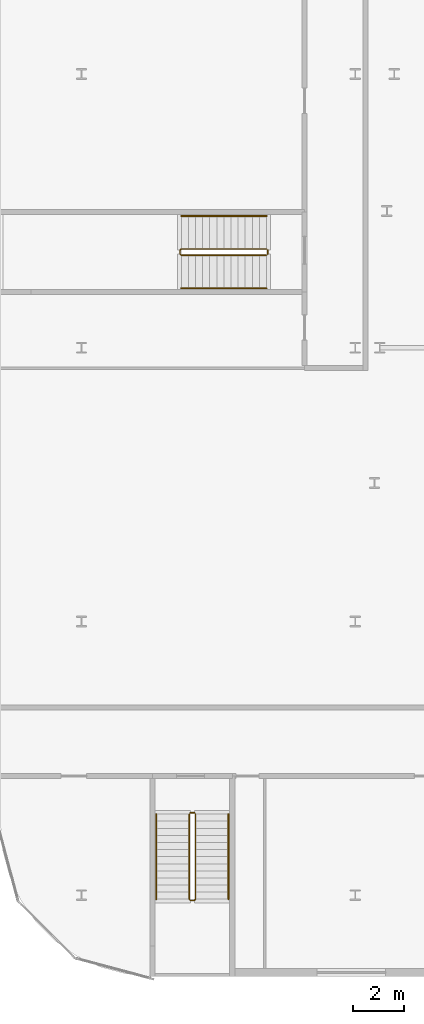
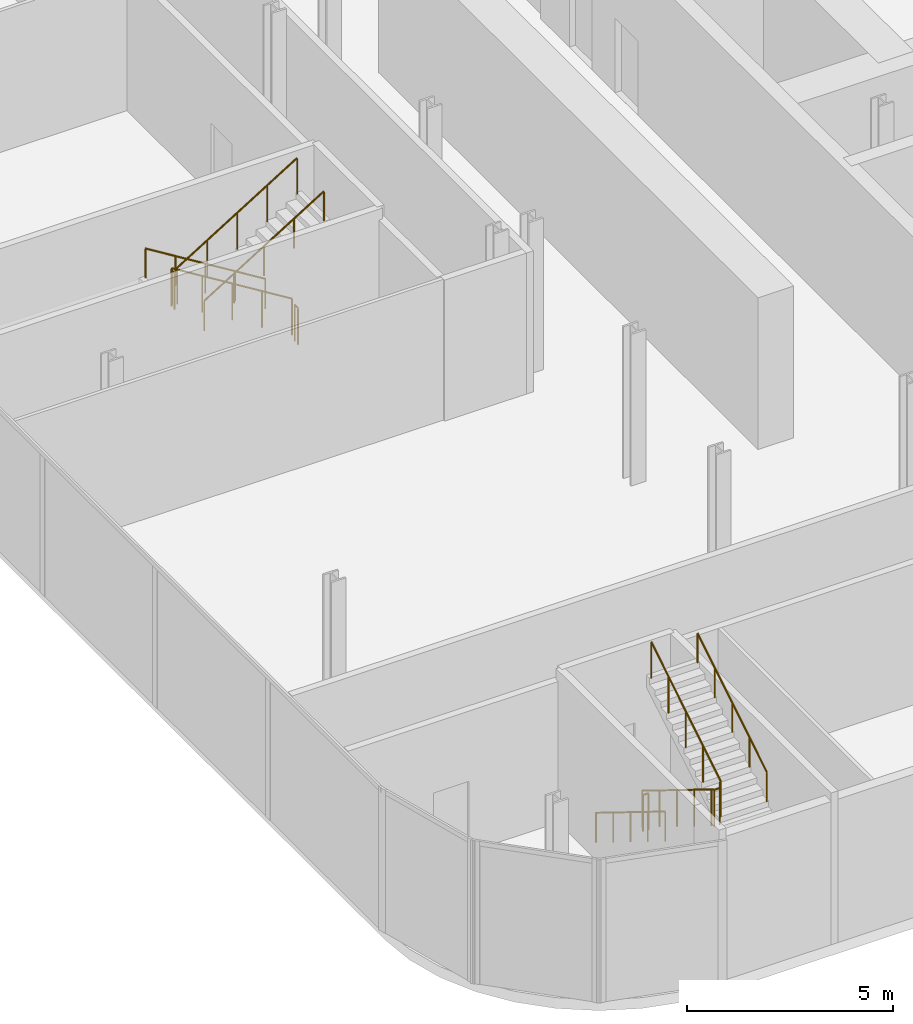
# One storey, part 39 of 47: 8 railings.
"""IFC4 building model written with IfcOpenShell, lengths in metres."""

from ifc_helpers import new_model, si_unit, direction, frame, origin, origin_2d, place, context, subcontext, project, spatial, circle, extrude, material, type_object, element, save


model = new_model("IFC4")

# Units and contexts
model_context = context("Model", 3, precision=1e-05, world=origin(), true_north=direction((0.0, 1.0)))
body_context = subcontext(model_context, "Body", "Model", "MODEL_VIEW")
ifc_project = project(units=[si_unit("LENGTHUNIT", "METRE"), si_unit("AREAUNIT", "SQUARE_METRE"), si_unit("VOLUMEUNIT", "CUBIC_METRE"), si_unit("PLANEANGLEUNIT", "RADIAN"), si_unit("MASSUNIT", "GRAM", prefix="KILO")], contexts=[model_context])

# Site, building, storey
site_placement = place(None, origin())
site = spatial("IfcSite", under=ifc_project, at=site_placement, CompositionType="ELEMENT")
building_placement = place(site_placement, origin())
building = spatial("IfcBuilding", under=site, at=building_placement, Name="Kheshtan School and Residences Tower", CompositionType="ELEMENT")
storey_placement = place(building_placement, frame((0.0, 0.0, 21.5)))
storey = spatial("IfcBuildingStorey", under=building, at=storey_placement, Name="L04", CompositionType="ELEMENT", Elevation=21.5)

# Railings
ifc_material_1 = material(Name="Stainless steel balustrade", Category="steel")
railing_type_1 = type_object("IfcRailingType", Name="Stair guard 1100", PredefinedType="GUARDRAIL", material=ifc_material_1)
railing_1_placement = place(storey_placement, frame((22.5, 38.699951171875, 0.173095703125)))
element("IfcRailing", 1, at=railing_1_placement, inside=storey, type_object=railing_type_1, Name="L04 PS-012-037 stair guard 1", PredefinedType="GUARDRAIL", context=body_context, shape_type="SweptSolid", body=[
    extrude(circle(Radius=0.02392578125, at=origin_2d()), frame((0.0, 0.0, 1.076171875), z_axis=(-0.850623216509, 0.0, 0.525775754039), x_axis=(0.0, -1.0, 0.0)), (0.0, 0.0, 1.0), 3.9501953125),
    extrude(circle(Radius=0.02392578125, at=origin_2d()), frame((-3.360107421875, 0.0, 3.15283203125), z_axis=(-0.705375805398, -0.708833529934, 0.0), x_axis=(0.708833529934, -0.705375805398, 0.0)), (0.0, 0.0, 1.0), 0.070556640625),
    extrude(circle(Radius=0.02392578125, at=origin_2d()), frame((-3.409912109375, -0.050048828125, 3.15283203125), z_axis=(0.0, -1.0, 0.0), x_axis=(1.0, 0.0, 0.0)), (0.0, 0.0, 1.0), 0.14990234375),
    extrude(circle(Radius=0.02392578125, at=origin_2d()), frame((-3.409912109375, -0.199951171875, 3.15283203125), z_axis=(0.266417085129, -0.267723051232, 0.925929967433), x_axis=(0.708833529934, 0.705375805398, 0.0)), (0.0, 0.0, 1.0), 0.18701171875),
    extrude(circle(Radius=0.02392578125, at=origin_2d()), frame((-3.360107421875, -0.25, 3.326171875), z_axis=(0.850623216509, 0.0, 0.525775754039), x_axis=(0.0, 1.0, 0.0)), (0.0, 0.0, 1.0), 3.9501953125),
    extrude(circle(Radius=0.02099609375, at=origin_2d()), origin(), (0.0, 0.0, 1.0), 1.052001953125),
    extrude(circle(Radius=0.02099609375, at=origin_2d()), frame((-0.840087890625, 0.0, 0.519287109375)), (0.0, 0.0, 1.0), 1.052001953125),
    extrude(circle(Radius=0.02099609375, at=origin_2d()), frame((-1.68017578125, 0.0, 1.03857421875)), (0.0, 0.0, 1.0), 1.052001953125),
    extrude(circle(Radius=0.02099609375, at=origin_2d()), frame((-2.52001953125, 0.0, 1.5576171875)), (0.0, 0.0, 1.0), 1.052001953125),
    extrude(circle(Radius=0.02099609375, at=origin_2d()), frame((-3.360107421875, 0.0, 2.076904296875)), (0.0, 0.0, 1.0), 1.052001953125),
    extrude(circle(Radius=0.02099609375, at=origin_2d()), frame((-3.409912109375, -0.050048828125, 2.076904296875)), (0.0, 0.0, 1.0), 1.052001953125),
    extrude(circle(Radius=0.02099609375, at=origin_2d()), frame((-3.409912109375, -0.199951171875, 2.076904296875)), (0.0, 0.0, 1.0), 1.052001953125),
    extrude(circle(Radius=0.02099609375, at=origin_2d()), frame((-3.360107421875, -0.25, 2.25)), (0.0, 0.0, 1.0), 1.052001953125),
    extrude(circle(Radius=0.02099609375, at=origin_2d()), frame((-2.52001953125, -0.25, 2.769287109375)), (0.0, 0.0, 1.0), 1.052001953125),
    extrude(circle(Radius=0.02099609375, at=origin_2d()), frame((-1.68017578125, -0.25, 3.28857421875)), (0.0, 0.0, 1.0), 1.052001953125),
    extrude(circle(Radius=0.02099609375, at=origin_2d()), frame((-0.840087890625, -0.25, 3.8076171875)), (0.0, 0.0, 1.0), 1.052001953125),
    extrude(circle(Radius=0.02099609375, at=origin_2d()), frame((0.0, -0.25, 4.326904296875)), (0.0, 0.0, 1.0), 1.052001953125),
])
railing_2_placement = place(storey_placement, frame((22.550048828125, 38.64990234375, 0.0)))
element("IfcRailing", 2, at=railing_2_placement, inside=storey, type_object=railing_type_1, Name="L04 PS-012-037 stair guard 2", PredefinedType="GUARDRAIL", context=body_context, shape_type="SweptSolid", body=[
    extrude(circle(Radius=0.02392578125, at=origin_2d()), frame((0.0, 0.0, 1.076171875), z_axis=(0.0, -1.0, 0.0), x_axis=(1.0, 0.0, 0.0)), (0.0, 0.0, 1.0), 0.14990234375),
    extrude(circle(Radius=0.02099609375, at=origin_2d()), origin(), (0.0, 0.0, 1.0), 1.052001953125),
    extrude(circle(Radius=0.02099609375, at=origin_2d()), frame((0.0, -0.14990234375, 0.0)), (0.0, 0.0, 1.0), 1.052001953125),
])
railing_3_placement = place(storey_placement, frame((19.449951171875, 16.39990234375, 0.173095703125)))
element("IfcRailing", 3, at=railing_3_placement, inside=storey, type_object=railing_type_1, Name="L04 PS-018-010 stair guard 1", PredefinedType="GUARDRAIL", context=body_context, shape_type="SweptSolid", body=[
    extrude(circle(Radius=0.02392578125, at=origin_2d()), frame((0.0, 0.0, 1.076171875), z_axis=(0.0, -0.850606129759, 0.525803396734), x_axis=(1.0, 0.0, 0.0)), (0.0, 0.0, 1.0), 3.949951171875),
    extrude(circle(Radius=0.02392578125, at=origin_2d()), frame((0.0, -3.35986328125, 3.15283203125), z_axis=(0.707106781187, -0.707106781187, 0.0), x_axis=(0.707106781187, 0.707106781187, 0.0)), (0.0, 0.0, 1.0), 0.07080078125),
    extrude(circle(Radius=0.02392578125, at=origin_2d()), frame((0.050048828125, -3.409912109375, 3.15283203125), z_axis=(1.0, 0.0, 0.0), x_axis=(0.0, 1.0, 0.0)), (0.0, 0.0, 1.0), 0.14990234375),
    extrude(circle(Radius=0.02392578125, at=origin_2d()), frame((0.199951171875, -3.409912109375, 3.15283203125), z_axis=(0.267629722418, 0.267629722418, 0.925607186314), x_axis=(-0.707106781187, 0.707106781187, 0.0)), (0.0, 0.0, 1.0), 0.18701171875),
    extrude(circle(Radius=0.02392578125, at=origin_2d()), frame((0.25, -3.35986328125, 3.326171875), z_axis=(0.0, 0.850606129759, 0.525803396734), x_axis=(-1.0, 0.0, 0.0)), (0.0, 0.0, 1.0), 3.949951171875),
    extrude(circle(Radius=0.02099609375, at=origin_2d()), origin(), (0.0, 0.0, 1.0), 1.052001953125),
    extrude(circle(Radius=0.02099609375, at=origin_2d()), frame((0.0, -0.83984375, 0.519287109375)), (0.0, 0.0, 1.0), 1.052001953125),
    extrude(circle(Radius=0.02099609375, at=origin_2d()), frame((0.0, -1.679931640625, 1.03857421875)), (0.0, 0.0, 1.0), 1.052001953125),
    extrude(circle(Radius=0.02099609375, at=origin_2d()), frame((0.0, -2.52001953125, 1.5576171875)), (0.0, 0.0, 1.0), 1.052001953125),
    extrude(circle(Radius=0.02099609375, at=origin_2d()), frame((0.0, -3.35986328125, 2.076904296875)), (0.0, 0.0, 1.0), 1.052001953125),
    extrude(circle(Radius=0.02099609375, at=origin_2d()), frame((0.050048828125, -3.409912109375, 2.076904296875)), (0.0, 0.0, 1.0), 1.052001953125),
    extrude(circle(Radius=0.02099609375, at=origin_2d()), frame((0.199951171875, -3.409912109375, 2.076904296875)), (0.0, 0.0, 1.0), 1.052001953125),
    extrude(circle(Radius=0.02099609375, at=origin_2d()), frame((0.25, -3.35986328125, 2.25)), (0.0, 0.0, 1.0), 1.052001953125),
    extrude(circle(Radius=0.02099609375, at=origin_2d()), frame((0.25, -2.52001953125, 2.769287109375)), (0.0, 0.0, 1.0), 1.052001953125),
    extrude(circle(Radius=0.02099609375, at=origin_2d()), frame((0.25, -1.679931640625, 3.28857421875)), (0.0, 0.0, 1.0), 1.052001953125),
    extrude(circle(Radius=0.02099609375, at=origin_2d()), frame((0.25, -0.83984375, 3.8076171875)), (0.0, 0.0, 1.0), 1.052001953125),
    extrude(circle(Radius=0.02099609375, at=origin_2d()), frame((0.25, 0.0, 4.326904296875)), (0.0, 0.0, 1.0), 1.052001953125),
])
railing_4_placement = place(storey_placement, frame((19.5, 16.449951171875, 0.0)))
element("IfcRailing", 4, at=railing_4_placement, inside=storey, type_object=railing_type_1, Name="L04 PS-018-010 stair guard 2", PredefinedType="GUARDRAIL", context=body_context, shape_type="SweptSolid", body=[
    extrude(circle(Radius=0.02392578125, at=origin_2d()), frame((0.0, 0.0, 1.076171875), z_axis=(1.0, 0.0, 0.0), x_axis=(0.0, 1.0, 0.0)), (0.0, 0.0, 1.0), 0.14990234375),
    extrude(circle(Radius=0.02099609375, at=origin_2d()), origin(), (0.0, 0.0, 1.0), 1.052001953125),
    extrude(circle(Radius=0.02099609375, at=origin_2d()), frame((0.14990234375, 0.0, 0.0)), (0.0, 0.0, 1.0), 1.052001953125),
])
ifc_material_2 = material(Name="Stainless steel handrail", Category="steel")
railing_type_2 = type_object("IfcRailingType", Name="Stair handrail 900", PredefinedType="HANDRAIL", material=ifc_material_2)
railing_5_placement = place(storey_placement, frame((22.5, 40.0, 0.173095703125)))
element("IfcRailing", 5, at=railing_5_placement, inside=storey, type_object=railing_type_2, Name="L04 PS-012-037 stair handrail 1", PredefinedType="HANDRAIL", context=body_context, shape_type="SweptSolid", body=[
    extrude(circle(Radius=0.02392578125, at=origin_2d()), frame((0.0, 0.0, 0.8759765625), z_axis=(-0.850623216509, 0.0, 0.525775754039), x_axis=(0.0, -1.0, 0.0)), (0.0, 0.0, 1.0), 3.9501953125),
    extrude(circle(Radius=0.02099609375, at=origin_2d()), origin(), (0.0, 0.0, 1.0), 0.851806640625),
    extrude(circle(Radius=0.02099609375, at=origin_2d()), frame((-0.840087890625, 0.0, 0.519287109375)), (0.0, 0.0, 1.0), 0.851806640625),
    extrude(circle(Radius=0.02099609375, at=origin_2d()), frame((-1.68017578125, 0.0, 1.03857421875)), (0.0, 0.0, 1.0), 0.851806640625),
    extrude(circle(Radius=0.02099609375, at=origin_2d()), frame((-2.52001953125, 0.0, 1.5576171875)), (0.0, 0.0, 1.0), 0.851806640625),
    extrude(circle(Radius=0.02099609375, at=origin_2d()), frame((-3.360107421875, 0.0, 2.076904296875)), (0.0, 0.0, 1.0), 0.851806640625),
])
railing_6_placement = place(storey_placement, frame((19.139892578125, 37.14990234375, 2.423095703125)))
element("IfcRailing", 6, at=railing_6_placement, inside=storey, type_object=railing_type_2, Name="L04 PS-012-037 stair handrail 2", PredefinedType="HANDRAIL", context=body_context, shape_type="SweptSolid", body=[
    extrude(circle(Radius=0.02392578125, at=origin_2d()), frame((0.0, 0.0, 0.8759765625), z_axis=(0.850623216509, 0.0, 0.525775754039), x_axis=(0.0, 1.0, 0.0)), (0.0, 0.0, 1.0), 3.9501953125),
    extrude(circle(Radius=0.02099609375, at=origin_2d()), origin(), (0.0, 0.0, 1.0), 0.851806640625),
    extrude(circle(Radius=0.02099609375, at=origin_2d()), frame((0.840087890625, 0.0, 0.519287109375)), (0.0, 0.0, 1.0), 0.851806640625),
    extrude(circle(Radius=0.02099609375, at=origin_2d()), frame((1.68017578125, 0.0, 1.03857421875)), (0.0, 0.0, 1.0), 0.851806640625),
    extrude(circle(Radius=0.02099609375, at=origin_2d()), frame((2.52001953125, 0.0, 1.5576171875)), (0.0, 0.0, 1.0), 0.851806640625),
    extrude(circle(Radius=0.02099609375, at=origin_2d()), frame((3.360107421875, 0.0, 2.076904296875)), (0.0, 0.0, 1.0), 0.851806640625),
])
railing_7_placement = place(storey_placement, frame((18.14990234375, 16.39990234375, 0.173095703125)))
element("IfcRailing", 7, at=railing_7_placement, inside=storey, type_object=railing_type_2, Name="L04 PS-018-010 stair handrail 1", PredefinedType="HANDRAIL", context=body_context, shape_type="SweptSolid", body=[
    extrude(circle(Radius=0.02392578125, at=origin_2d()), frame((0.0, 0.0, 0.8759765625), z_axis=(0.0, -0.850606129759, 0.525803396734), x_axis=(1.0, 0.0, 0.0)), (0.0, 0.0, 1.0), 3.949951171875),
    extrude(circle(Radius=0.02099609375, at=origin_2d()), origin(), (0.0, 0.0, 1.0), 0.851806640625),
    extrude(circle(Radius=0.02099609375, at=origin_2d()), frame((0.0, -0.83984375, 0.519287109375)), (0.0, 0.0, 1.0), 0.851806640625),
    extrude(circle(Radius=0.02099609375, at=origin_2d()), frame((0.0, -1.679931640625, 1.03857421875)), (0.0, 0.0, 1.0), 0.851806640625),
    extrude(circle(Radius=0.02099609375, at=origin_2d()), frame((0.0, -2.52001953125, 1.5576171875)), (0.0, 0.0, 1.0), 0.851806640625),
    extrude(circle(Radius=0.02099609375, at=origin_2d()), frame((0.0, -3.35986328125, 2.076904296875)), (0.0, 0.0, 1.0), 0.851806640625),
])
railing_8_placement = place(storey_placement, frame((21.0, 13.0400390625, 2.423095703125)))
element("IfcRailing", 8, at=railing_8_placement, inside=storey, type_object=railing_type_2, Name="L04 PS-018-010 stair handrail 2", PredefinedType="HANDRAIL", context=body_context, shape_type="SweptSolid", body=[
    extrude(circle(Radius=0.02392578125, at=origin_2d()), frame((0.0, 0.0, 0.8759765625), z_axis=(0.0, 0.850606129759, 0.525803396734), x_axis=(-1.0, 0.0, 0.0)), (0.0, 0.0, 1.0), 3.949951171875),
    extrude(circle(Radius=0.02099609375, at=origin_2d()), origin(), (0.0, 0.0, 1.0), 0.851806640625),
    extrude(circle(Radius=0.02099609375, at=origin_2d()), frame((0.0, 0.83984375, 0.519287109375)), (0.0, 0.0, 1.0), 0.851806640625),
    extrude(circle(Radius=0.02099609375, at=origin_2d()), frame((0.0, 1.679931640625, 1.03857421875)), (0.0, 0.0, 1.0), 0.851806640625),
    extrude(circle(Radius=0.02099609375, at=origin_2d()), frame((0.0, 2.52001953125, 1.5576171875)), (0.0, 0.0, 1.0), 0.851806640625),
    extrude(circle(Radius=0.02099609375, at=origin_2d()), frame((0.0, 3.35986328125, 2.076904296875)), (0.0, 0.0, 1.0), 0.851806640625),
])

save(model, "model.ifc")
